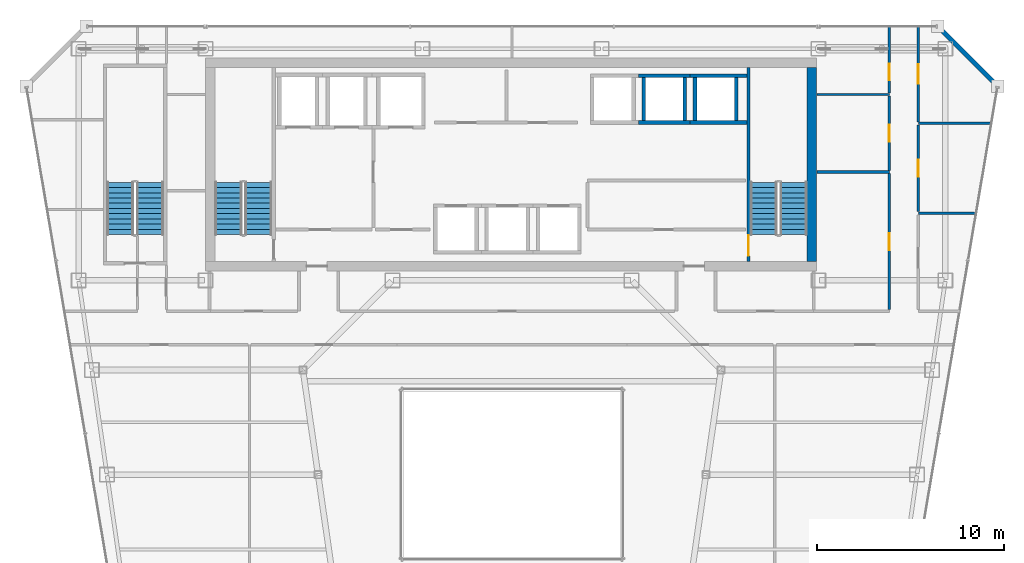
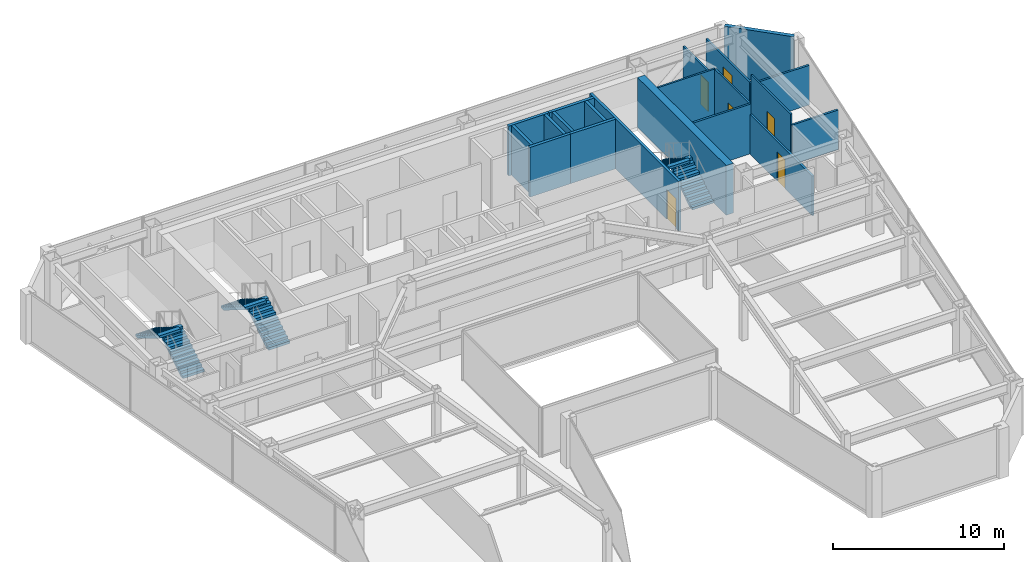
# One storey, part 32 of 35: 20 walls, 6 doors, 6 stair flights, 6 openings, 3 elements without a shape of their own.
"""IFC4 building model written with IfcOpenShell, lengths in metres."""

from ifc_helpers import new_model, si_unit, direction, frame, frame_2d, origin, place, context, subcontext, project, spatial, polyline, rectangle, outline, extrude, material, layer, layer_set, type_object, element, fill, aggregate, save


model = new_model("IFC4")

# Units and contexts
model_context = context("Model", 3, precision=1e-05, world=origin(), true_north=direction((0.0, 1.0)))
body_context = subcontext(model_context, "Body", "Model", "MODEL_VIEW")
ifc_project = project(units=[si_unit("LENGTHUNIT", "METRE"), si_unit("AREAUNIT", "SQUARE_METRE"), si_unit("VOLUMEUNIT", "CUBIC_METRE"), si_unit("PLANEANGLEUNIT", "RADIAN"), si_unit("MASSUNIT", "GRAM", prefix="KILO")], contexts=[model_context])

# Site, building, storey
site_placement = place(None, origin())
site = spatial("IfcSite", under=ifc_project, at=site_placement, CompositionType="ELEMENT")
building_placement = place(site_placement, origin())
building = spatial("IfcBuilding", under=site, at=building_placement, Name="Saevonmaru Cultural Tower", CompositionType="ELEMENT")
storey_placement = place(building_placement, frame((0.0, 0.0, 213.199951171875)))
storey = spatial("IfcBuildingStorey", under=building, at=storey_placement, Name="L49", CompositionType="ELEMENT", Elevation=213.199951171875)

# Walls
ifc_material_1 = material(Name="Concrete C60/75", Category="concrete")
ifc_layer_1 = layer(ifc_material_1, 0.5, Name="Concrete C60/75")
ifc_layer_set_1 = layer_set([ifc_layer_1], Name="Concrete C60/75")
wall_type_1 = type_object("IfcWallType", Name="WL-CORE-500", PredefinedType="SHEAR", material=ifc_layer_set_1)
wall_1_placement = place(storey_placement, frame((46.050048828125, 43.39990234375, 0.0), z_axis=(0.0, 0.0, 1.0), x_axis=(0.0, 1.0, 0.0)))
element("IfcWall", 1, at=wall_1_placement, inside=storey, type_object=wall_type_1, Name="L49 Tower RC core shear wall E", PredefinedType="SHEAR", context=body_context, shape_type="SweptSolid", body=[
    extrude(rectangle(XDim=10.400146484375, YDim=0.5, at=frame_2d((5.2001953125, 0.0))), origin(), (0.0, 0.0, 1.0), 3.550048828125),
])
ifc_material_2 = material(Name="Granite-Clad Precast Concrete C40/50", Category="masonry")
ifc_layer_2 = layer(ifc_material_2, 0.260009765625, Name="Granite-Clad Precast Concrete C40/50")
ifc_layer_set_2 = layer_set([ifc_layer_2], Name="Granite-Clad Precast Concrete C40/50")
wall_type_2 = type_object("IfcWallType", Name="WL-EXT-SPANDREL-260", PredefinedType="STANDARD", material=ifc_layer_set_2)
wall_2_placement = place(storey_placement, frame((55.886962890625, 52.9130859375, 0.0), z_axis=(0.0, 0.0, 1.0), x_axis=(-0.707106781187, 0.707106781187, 0.0)))
element("IfcWall", 2, at=wall_2_placement, inside=storey, type_object=wall_type_2, Name="L49 Chamfer Corner Spandrel Wall E9", PredefinedType="STANDARD", context=body_context, shape_type="SweptSolid", body=[
    extrude(rectangle(XDim=4.205810546875, YDim=0.260009765625, at=frame_2d((2.10302734375, 0.0))), origin(), (0.0, 0.0, 1.0), 3.550048828125),
])
ifc_material_3 = material(Name="Gypsum Fireboard Partition", Category="gypsum")
ifc_layer_3 = layer(ifc_material_3, 0.1201171875, Name="Gypsum Fireboard Partition")
ifc_layer_set_3 = layer_set([ifc_layer_3], Name="Gypsum Fireboard Partition")
wall_type_3 = type_object("IfcWallType", Name="WL-PART-GYP-120", PredefinedType="PARTITIONING", material=ifc_layer_set_3)
wall_3_placement = place(storey_placement, frame((46.320068359375, 52.35009765625, 0.0), z_axis=(0.0, 0.0, 1.0), x_axis=(1.0, 0.0, 0.0)))
element("IfcWall", 3, at=wall_3_placement, inside=storey, type_object=wall_type_3, Name="L49 North-East Panorama South Wall", PredefinedType="PARTITIONING", context=body_context, shape_type="SweptSolid", body=[
    extrude(rectangle(XDim=3.8798828125, YDim=0.1201171875, at=frame_2d((1.93994140625, 0.0))), origin(), (0.0, 0.0, 1.0), 3.550048828125),
])

# Wall, opening, door
wall_4_placement = place(storey_placement, frame((50.199951171875, 48.2900390625, 0.0), z_axis=(0.0, 0.0, 1.0), x_axis=(0.0, 1.0, 0.0)))
wall_4 = element("IfcWall", 4, at=wall_4_placement, inside=storey, type_object=wall_type_3, Name="L49 Design Seminar Classroom Corridor Wall", PredefinedType="PARTITIONING", context=body_context, shape_type="SweptSolid", body=[
    extrude(rectangle(XDim=3.97998046875, YDim=0.1201171875, at=frame_2d((1.989990234375, 0.0))), origin(), (0.0, 0.0, 1.0), 3.550048828125),
])
opening_1_placement = place(wall_4_placement, frame((1.5400390625, 0.0, 0.0)))
opening_1 = element("IfcOpeningElement", 5, at=opening_1_placement, cuts=wall_4, Name="Opening ID-2", PredefinedType="OPENING", context=body_context, shape_type="SweptSolid", body=[
    extrude(rectangle(XDim=0.89990234375, YDim=2.10009765625, at=frame_2d((0.449951171875, 1.050048828125))), frame((0.0, 0.070068359375, 0.0), z_axis=(0.0, -1.0, 0.0), x_axis=(1.0, 0.0, 0.0)), (0.0, 0.0, 1.0), 0.14013671875),
])
ifc_material_4 = material(Name="Acoustic Stained Oak Timber", Category="wood")
door_type_1 = type_object("IfcDoorType", Name="DR-INT-900", OperationType="SINGLE_SWING_RIGHT", PredefinedType="DOOR", material=ifc_material_4)
door_1_placement = place(opening_1_placement, origin())
door_1 = element("IfcDoor", 6, at=door_1_placement, inside=storey, type_object=door_type_1, Name="L49 Design Seminar Classroom Door", OperationType="SINGLE_SWING_LEFT", OverallHeight=2.10009765625, OverallWidth=0.89990234375, PredefinedType="DOOR", context=body_context, shape_type="SweptSolid", body=[
    extrude(rectangle(XDim=0.89990234375, YDim=2.10009765625, at=frame_2d((0.449951171875, 1.050048828125))), frame((0.0, 0.02490234375, 0.0), z_axis=(0.0, -1.0, 0.0), x_axis=(1.0, 0.0, 0.0)), (0.0, 0.0, 1.0), 0.050048828125),
])
fill(opening_1, door_1)

wall_5_placement = place(storey_placement, frame((50.199951171875, 52.429931640625, 0.0), z_axis=(0.0, 0.0, 1.0), x_axis=(0.0, 1.0, 0.0)))
wall_5 = element("IfcWall", 7, at=wall_5_placement, inside=storey, type_object=wall_type_3, Name="L49 Printmaking Workshop Classroom Corridor Wall", PredefinedType="PARTITIONING", context=body_context, shape_type="SweptSolid", body=[
    extrude(rectangle(XDim=3.565185546875, YDim=0.1201171875, at=frame_2d((1.78271484375, 0.0))), origin(), (0.0, 0.0, 1.0), 2.93505859375),
])
opening_2_placement = place(wall_5_placement, frame((0.672119140625, 0.0, 0.0)))
opening_2 = element("IfcOpeningElement", 8, at=opening_2_placement, cuts=wall_5, Name="Opening ID-2", PredefinedType="OPENING", context=body_context, shape_type="SweptSolid", body=[
    extrude(rectangle(XDim=0.89990234375, YDim=2.10009765625, at=frame_2d((0.449951171875, 1.050048828125))), frame((0.0, 0.070068359375, 0.0), z_axis=(0.0, -1.0, 0.0), x_axis=(1.0, 0.0, 0.0)), (0.0, 0.0, 1.0), 0.14013671875),
])
door_2_placement = place(opening_2_placement, origin())
door_2 = element("IfcDoor", 9, at=door_2_placement, inside=storey, type_object=door_type_1, Name="L49 Printmaking Workshop Classroom Door", OperationType="SINGLE_SWING_RIGHT", OverallHeight=2.10009765625, OverallWidth=0.89990234375, PredefinedType="DOOR", context=body_context, shape_type="SweptSolid", body=[
    extrude(rectangle(XDim=0.89990234375, YDim=2.10009765625, at=frame_2d((0.449951171875, 1.050048828125))), frame((0.0, 0.02490234375, 0.0), z_axis=(0.0, -1.0, 0.0), x_axis=(1.0, 0.0, 0.0)), (0.0, 0.0, 1.0), 0.050048828125),
])
fill(opening_2, door_2)

wall_6_placement = place(storey_placement, frame((51.75, 46.08740234375, 0.0), z_axis=(0.0, 0.0, 1.0), x_axis=(0.0, 1.0, 0.0)))
wall_6 = element("IfcWall", 10, at=wall_6_placement, inside=storey, type_object=wall_type_3, Name="L49 Civic Policy Meeting Room Corridor Wall", PredefinedType="PARTITIONING", context=body_context, shape_type="SweptSolid", body=[
    extrude(rectangle(XDim=4.625, YDim=0.1201171875, at=frame_2d((2.3125, 0.0))), origin(), (0.0, 0.0, 1.0), 3.550048828125),
])
opening_3_placement = place(wall_6_placement, frame((1.863037109375, 0.0, 0.0)))
opening_3 = element("IfcOpeningElement", 11, at=opening_3_placement, cuts=wall_6, Name="Opening ID-2", PredefinedType="OPENING", context=body_context, shape_type="SweptSolid", body=[
    extrude(rectangle(XDim=0.89990234375, YDim=2.10009765625, at=frame_2d((0.449951171875, 1.050048828125))), frame((0.0, 0.070068359375, 0.0), z_axis=(0.0, -1.0, 0.0), x_axis=(1.0, 0.0, 0.0)), (0.0, 0.0, 1.0), 0.14013671875),
])
door_3_placement = place(opening_3_placement, origin())
door_3 = element("IfcDoor", 12, at=door_3_placement, inside=storey, type_object=door_type_1, Name="L49 Civic Policy Meeting Room Door", OperationType="SINGLE_SWING_RIGHT", OverallHeight=2.10009765625, OverallWidth=0.89990234375, PredefinedType="DOOR", context=body_context, shape_type="SweptSolid", body=[
    extrude(rectangle(XDim=0.89990234375, YDim=2.10009765625, at=frame_2d((0.449951171875, 1.050048828125))), frame((0.0, 0.02490234375, 0.0), z_axis=(0.0, -1.0, 0.0), x_axis=(1.0, 0.0, 0.0)), (0.0, 0.0, 1.0), 0.050048828125),
])
fill(opening_3, door_3)

wall_7_placement = place(storey_placement, frame((51.75, 50.887451171875, 0.0), z_axis=(0.0, 0.0, 1.0), x_axis=(0.0, 1.0, 0.0)))
wall_7 = element("IfcWall", 13, at=wall_7_placement, inside=storey, type_object=wall_type_3, Name="L49 Panorama Reading Room Corridor Wall", PredefinedType="PARTITIONING", context=body_context, shape_type="SweptSolid", body=[
    extrude(rectangle(XDim=5.107666015625, YDim=0.1201171875, at=frame_2d((2.5537109375, 0.0))), origin(), (0.0, 0.0, 1.0), 2.93505859375),
])
opening_4_placement = place(wall_7_placement, frame((2.029052734375, 0.0, 0.0)))
opening_4 = element("IfcOpeningElement", 14, at=opening_4_placement, cuts=wall_7, Name="Opening ID-1", PredefinedType="OPENING", context=body_context, shape_type="SweptSolid", body=[
    extrude(rectangle(XDim=1.050048828125, YDim=2.14990234375, at=frame_2d((0.52490234375, 1.074951171875))), frame((0.0, 0.070068359375, 0.0), z_axis=(0.0, -1.0, 0.0), x_axis=(1.0, 0.0, 0.0)), (0.0, 0.0, 1.0), 0.14013671875),
])
ifc_material_5 = material(Name="Satin Bronze Anodised Aluminium", Category="aluminium")
door_type_2 = type_object("IfcDoorType", Name="DR-INT-1050", OperationType="SINGLE_SWING_LEFT", PredefinedType="DOOR", material=ifc_material_5)
door_4_placement = place(opening_4_placement, origin())
door_4 = element("IfcDoor", 15, at=door_4_placement, inside=storey, type_object=door_type_2, Name="L49 Panorama Reading Room Door", OperationType="SINGLE_SWING_LEFT", OverallHeight=2.14990234375, OverallWidth=1.050048828125, PredefinedType="DOOR", context=body_context, shape_type="SweptSolid", body=[
    extrude(rectangle(XDim=1.050048828125, YDim=2.14990234375, at=frame_2d((0.52490234375, 1.074951171875))), frame((0.0, 0.02490234375, 0.0), z_axis=(0.0, -1.0, 0.0), x_axis=(1.0, 0.0, 0.0)), (0.0, 0.0, 1.0), 0.050048828125),
])
fill(opening_4, door_4)

# Walls
ifc_layer_4 = layer(ifc_material_3, 0.135009765625, Name="Gypsum Fireboard Partition")
ifc_layer_set_4 = layer_set([ifc_layer_4], Name="Gypsum Fireboard Partition")
wall_type_4 = type_object("IfcWallType", Name="WL-PART-GYP-135", PredefinedType="PARTITIONING", material=ifc_layer_set_4)
wall_8_placement = place(storey_placement, frame((51.75, 46.0, 0.0), z_axis=(0.0, 0.0, 1.0), x_axis=(1.0, 0.0, 0.0)))
element("IfcWall", 16, at=wall_8_placement, inside=storey, type_object=wall_type_4, Name="L49 NE Studio Divider 1", PredefinedType="PARTITIONING", context=body_context, shape_type="SweptSolid", body=[
    extrude(rectangle(XDim=3.09375, YDim=0.135009765625, at=frame_2d((1.546875, 0.0))), origin(), (0.0, 0.0, 1.0), 2.8349609375),
])
wall_9_placement = place(storey_placement, frame((51.75, 50.800048828125, 0.0), z_axis=(0.0, 0.0, 1.0), x_axis=(1.0, 0.0, 0.0)))
element("IfcWall", 17, at=wall_9_placement, inside=storey, type_object=wall_type_4, Name="L49 NE Studio Divider 2", PredefinedType="PARTITIONING", context=body_context, shape_type="SweptSolid", body=[
    extrude(rectangle(XDim=3.90625, YDim=0.135009765625, at=frame_2d((1.953125, 0.0))), origin(), (0.0, 0.0, 1.0), 2.8349609375),
])
ifc_layer_5 = layer(ifc_material_3, 0.139892578125, Name="Gypsum Fireboard Partition")
ifc_layer_set_5 = layer_set([ifc_layer_5], Name="Gypsum Fireboard Partition")
wall_type_5 = type_object("IfcWallType", Name="WL-PART-WET-140", PredefinedType="PARTITIONING", material=ifc_layer_set_5)
wall_10_placement = place(storey_placement, frame((46.320068359375, 48.199951171875, 0.0), z_axis=(0.0, 0.0, 1.0), x_axis=(1.0, 0.0, 0.0)))
element("IfcWall", 18, at=wall_10_placement, inside=storey, type_object=wall_type_5, Name="L49 Washroom North Wall", PredefinedType="PARTITIONING", context=body_context, shape_type="SweptSolid", body=[
    extrude(rectangle(XDim=3.8798828125, YDim=0.139892578125, at=frame_2d((1.93994140625, 0.0))), origin(), (0.0, 0.0, 1.0), 3.550048828125),
])

# Wall, opening, door
wall_11_placement = place(storey_placement, frame((50.199951171875, 40.840087890625, 0.0), z_axis=(0.0, 0.0, 1.0), x_axis=(0.0, 1.0, 0.0)))
wall_11 = element("IfcWall", 19, at=wall_11_placement, inside=storey, type_object=wall_type_5, Name="L49 Washroom Corridor Wall", PredefinedType="PARTITIONING", context=body_context, shape_type="SweptSolid", body=[
    extrude(rectangle(XDim=7.27001953125, YDim=0.139892578125, at=frame_2d((3.635009765625, 0.0))), origin(), (0.0, 0.0, 1.0), 2.8349609375),
])
opening_5_placement = place(wall_11_placement, frame((3.18505859375, 0.0, 0.0)))
opening_5 = element("IfcOpeningElement", 20, at=opening_5_placement, cuts=wall_11, Name="Opening ID-2", PredefinedType="OPENING", context=body_context, shape_type="SweptSolid", body=[
    extrude(rectangle(XDim=0.89990234375, YDim=2.10009765625, at=frame_2d((0.449951171875, 1.050048828125))), frame((0.0, 0.080078125, 0.0), z_axis=(0.0, -1.0, 0.0), x_axis=(1.0, 0.0, 0.0)), (0.0, 0.0, 1.0), 0.159912109375),
])
door_5_placement = place(opening_5_placement, origin())
door_5 = element("IfcDoor", 21, at=door_5_placement, inside=storey, type_object=door_type_1, Name="L49 Public Accessible Washrooms Door", OperationType="SINGLE_SWING_RIGHT", OverallHeight=2.10009765625, OverallWidth=0.89990234375, PredefinedType="DOOR", context=body_context, shape_type="SweptSolid", body=[
    extrude(rectangle(XDim=0.89990234375, YDim=2.10009765625, at=frame_2d((0.449951171875, 1.050048828125))), frame((0.0, 0.02490234375, 0.0), z_axis=(0.0, -1.0, 0.0), x_axis=(1.0, 0.0, 0.0)), (0.0, 0.0, 1.0), 0.050048828125),
])
fill(opening_5, door_5)

# Walls
ifc_material_6 = material(Name="Concrete C40/50", Category="concrete")
ifc_layer_6 = layer(ifc_material_6, 0.199951171875, Name="Concrete C40/50")
ifc_layer_set_6 = layer_set([ifc_layer_6], Name="Concrete C40/50")
wall_type_6 = type_object("IfcWallType", Name="WL-SHAFT-200", PredefinedType="SHEAR", material=ifc_layer_set_6)
for number, where, z_axis, x_axis, name in (
    (22, (36.77490234375, 50.85009765625, 0.0), (0.0, 0.0, 1.0), (1.0, 0.0, 0.0), "L49 Lift PL-H2 Hoistway Wall S"),
    (23, (36.77490234375, 53.35009765625, 0.0), (0.0, 0.0, 1.0), (1.0, 0.0, 0.0), "L49 Lift PL-H2 Hoistway Wall N"),
):
    element("IfcWall", number, at=place(storey_placement, frame(where, z_axis=z_axis, x_axis=x_axis)), inside=storey, type_object=wall_type_6, Name=name, PredefinedType="SHEAR", context=body_context, shape_type="SweptSolid", body=[
        extrude(rectangle(XDim=2.75, YDim=0.199951171875, at=frame_2d((1.375, 0.0))), origin(), (0.0, 0.0, 1.0), 3.550048828125),
    ])
for number, where, z_axis, x_axis, name in (
    (24, (37.050048828125, 50.949951171875, 0.0), (0.0, 0.0, 1.0), (0.0, 1.0, 0.0), "L49 Lift PL-H2 Hoistway Wall W"),
    (25, (39.25, 50.949951171875, 0.0), (0.0, 0.0, 1.0), (0.0, 1.0, 0.0), "L49 Lift PL-H2 Hoistway Wall E"),
):
    element("IfcWall", number, at=place(storey_placement, frame(where, z_axis=z_axis, x_axis=x_axis)), inside=storey, type_object=wall_type_6, Name=name, PredefinedType="SHEAR", context=body_context, shape_type="SweptSolid", body=[
        extrude(rectangle(XDim=2.300048828125, YDim=0.199951171875, at=frame_2d((1.14990234375, 0.0))), origin(), (0.0, 0.0, 1.0), 3.550048828125),
    ])
for number, where, z_axis, x_axis, name in (
    (26, (39.52490234375, 50.85009765625, 0.0), (0.0, 0.0, 1.0), (1.0, 0.0, 0.0), "L49 Lift PL-H3 Hoistway Wall S"),
    (27, (39.52490234375, 53.35009765625, 0.0), (0.0, 0.0, 1.0), (1.0, 0.0, 0.0), "L49 Lift PL-H3 Hoistway Wall N"),
):
    element("IfcWall", number, at=place(storey_placement, frame(where, z_axis=z_axis, x_axis=x_axis)), inside=storey, type_object=wall_type_6, Name=name, PredefinedType="SHEAR", context=body_context, shape_type="SweptSolid", body=[
        extrude(rectangle(XDim=3.045166015625, YDim=0.199951171875, at=frame_2d((1.5224609375, 0.0))), origin(), (0.0, 0.0, 1.0), 3.550048828125),
    ])
for number, where, z_axis, x_axis, name in (
    (28, (39.800048828125, 50.949951171875, 0.0), (0.0, 0.0, 1.0), (0.0, 1.0, 0.0), "L49 Lift PL-H3 Hoistway Wall W"),
    (29, (42.0, 50.949951171875, 0.0), (0.0, 0.0, 1.0), (0.0, 1.0, 0.0), "L49 Lift PL-H3 Hoistway Wall E"),
):
    element("IfcWall", number, at=place(storey_placement, frame(where, z_axis=z_axis, x_axis=x_axis)), inside=storey, type_object=wall_type_6, Name=name, PredefinedType="SHEAR", context=body_context, shape_type="SweptSolid", body=[
        extrude(rectangle(XDim=2.300048828125, YDim=0.199951171875, at=frame_2d((1.14990234375, 0.0))), origin(), (0.0, 0.0, 1.0), 3.550048828125),
    ])

# Wall, opening, door
ifc_layer_7 = layer(ifc_material_6, 0.179931640625, Name="Concrete C40/50")
ifc_layer_set_7 = layer_set([ifc_layer_7], Name="Concrete C40/50")
wall_type_7 = type_object("IfcWallType", Name="WL-STSHAFT-180", PredefinedType="SHEAR", material=ifc_layer_set_7)
wall_12_placement = place(storey_placement, frame((42.659912109375, 53.800048828125, 0.0), z_axis=(0.0, 0.0, 1.0), x_axis=(0.0, -1.0, 0.0)))
wall_12 = element("IfcWall", 30, at=wall_12_placement, inside=storey, type_object=wall_type_7, Name="L49 Stair ST-2 Structural Shaft Wall 1", PredefinedType="SHEAR", context=body_context, shape_type="SweptSolid", body=[
    extrude(rectangle(XDim=10.400146484375, YDim=0.179931640625, at=frame_2d((5.2001953125, 0.0))), origin(), (0.0, 0.0, 1.0), 3.550048828125),
])
opening_6_placement = place(wall_12_placement, frame((8.989990234375, 0.0, 0.0)))
opening_6 = element("IfcOpeningElement", 31, at=opening_6_placement, cuts=wall_12, Name="Opening FD-2", PredefinedType="OPENING", context=body_context, shape_type="SweptSolid", body=[
    extrude(rectangle(XDim=1.10009765625, YDim=2.14990234375, at=frame_2d((0.550048828125, 1.074951171875))), frame((0.0, 0.10009765625, 0.0), z_axis=(0.0, -1.0, 0.0), x_axis=(1.0, 0.0, 0.0)), (0.0, 0.0, 1.0), 0.199951171875),
])
door_type_3 = type_object("IfcDoorType", Name="DR-FD60-1100", OperationType="SINGLE_SWING_LEFT", PredefinedType="DOOR", material=ifc_material_5)
door_6_placement = place(opening_6_placement, origin())
door_6 = element("IfcDoor", 32, at=door_6_placement, inside=storey, type_object=door_type_3, Name="L49 Protected Stair ST-2 Fire Door", OperationType="SINGLE_SWING_LEFT", OverallHeight=2.14990234375, OverallWidth=1.10009765625, PredefinedType="DOOR", context=body_context, shape_type="SweptSolid", body=[
    extrude(rectangle(XDim=1.10009765625, YDim=2.14990234375, at=frame_2d((0.550048828125, 1.074951171875))), frame((0.0, 0.02490234375, 0.0), z_axis=(0.0, -1.0, 0.0), x_axis=(1.0, 0.0, 0.0)), (0.0, 0.0, 1.0), 0.050048828125),
])
fill(opening_6, door_6)

# Stair, stair flights
stair_type = type_object("IfcStairType", Name="STR-DOGLEG-RC", PredefinedType="HALF_TURN_STAIR", material=ifc_material_6)
stair_1_placement = place(storey_placement, origin())
stair_1 = element("IfcStair", 33, at=stair_1_placement, inside=storey, type_object=stair_type, Name="L49 Protected exit stair ST-1", PredefinedType="HALF_TURN_STAIR")
ifc_material_7 = material(Name="Precast concrete C40/50", Category="concrete")
stair_flight_type = type_object("IfcStairFlightType", Name="STF-PRECAST-180", PredefinedType="STRAIGHT", material=ifc_material_7)
stair_flight_1_placement = place(storey_placement, frame((16.425048828125, 44.85009765625, 0.0), z_axis=(0.0, 0.0, 1.0), x_axis=(0.0, 1.0, 0.0)))
stair_flight_1 = element("IfcStairFlight", 34, at=stair_flight_1_placement, type_object=stair_flight_type, Name="ST-1-L49 flight 1", NumberOfRisers=11, NumberOfTreads=10, PredefinedType="STRAIGHT", RiserHeight=0.172727273, TreadLength=0.28, context=body_context, shape_type="SweptSolid", body=[
    extrude(outline(polyline([(0.0, 0.0), (0.0, 0.172607421875), (0.280029296875, 0.172607421875), (0.280029296875, 0.345458984375), (0.56005859375, 0.345458984375), (0.56005859375, 0.51806640625), (0.840087890625, 0.51806640625), (0.840087890625, 0.69091796875), (1.1201171875, 0.69091796875), (1.1201171875, 0.863525390625), (1.39990234375, 0.863525390625), (1.39990234375, 1.036376953125), (1.679931640625, 1.036376953125), (1.679931640625, 1.208984375), (1.9599609375, 1.208984375), (1.9599609375, 1.3818359375), (2.239990234375, 1.3818359375), (2.239990234375, 1.554443359375), (2.52001953125, 1.554443359375), (2.52001953125, 1.727294921875), (2.800048828125, 1.727294921875), (2.800048828125, 1.89990234375), (2.800048828125, 1.551025390625), (0.285400390625, 0.0), (0.0, 0.0)])), frame((0.0, 0.72509765625, 0.0), z_axis=(0.0, -1.0, 0.0), x_axis=(1.0, 0.0, 0.0)), (0.0, 0.0, 1.0), 1.449951171875),
])
stair_flight_2_placement = place(storey_placement, frame((14.824951171875, 47.64990234375, 1.900146484375), z_axis=(0.0, 0.0, 1.0), x_axis=(0.0, -1.0, 0.0)))
stair_flight_2 = element("IfcStairFlight", 35, at=stair_flight_2_placement, type_object=stair_flight_type, Name="ST-1-L49 flight 2", NumberOfRisers=11, NumberOfTreads=10, PredefinedType="STRAIGHT", RiserHeight=0.172727273, TreadLength=0.28, context=body_context, shape_type="SweptSolid", body=[
    extrude(outline(polyline([(0.0, 0.0), (0.0, 0.172607421875), (0.280029296875, 0.172607421875), (0.280029296875, 0.345458984375), (0.56005859375, 0.345458984375), (0.56005859375, 0.51806640625), (0.840087890625, 0.51806640625), (0.840087890625, 0.69091796875), (1.1201171875, 0.69091796875), (1.1201171875, 0.863525390625), (1.39990234375, 0.863525390625), (1.39990234375, 1.036376953125), (1.679931640625, 1.036376953125), (1.679931640625, 1.208984375), (1.9599609375, 1.208984375), (1.9599609375, 1.3818359375), (2.239990234375, 1.3818359375), (2.239990234375, 1.554443359375), (2.52001953125, 1.554443359375), (2.52001953125, 1.727294921875), (2.800048828125, 1.727294921875), (2.800048828125, 1.89990234375), (2.800048828125, 1.551025390625), (0.285400390625, 0.0), (0.0, 0.0)])), frame((0.0, 0.72509765625, 0.0), z_axis=(0.0, -1.0, 0.0), x_axis=(1.0, 0.0, 0.0)), (0.0, 0.0, 1.0), 1.449951171875),
])
aggregate(stair_1, [stair_flight_1, stair_flight_2])

stair_2_placement = place(storey_placement, origin())
stair_2 = element("IfcStair", 36, at=stair_2_placement, inside=storey, type_object=stair_type, Name="L49 Protected exit stair ST-2", PredefinedType="HALF_TURN_STAIR")
stair_flight_3_placement = place(storey_placement, frame((45.074951171875, 44.85009765625, 0.0), z_axis=(0.0, 0.0, 1.0), x_axis=(0.0, 1.0, 0.0)))
stair_flight_3 = element("IfcStairFlight", 37, at=stair_flight_3_placement, type_object=stair_flight_type, Name="ST-2-L49 flight 1", NumberOfRisers=11, NumberOfTreads=10, PredefinedType="STRAIGHT", RiserHeight=0.172727273, TreadLength=0.28, context=body_context, shape_type="SweptSolid", body=[
    extrude(outline(polyline([(0.0, 0.0), (0.0, 0.172607421875), (0.280029296875, 0.172607421875), (0.280029296875, 0.345458984375), (0.56005859375, 0.345458984375), (0.56005859375, 0.51806640625), (0.840087890625, 0.51806640625), (0.840087890625, 0.69091796875), (1.1201171875, 0.69091796875), (1.1201171875, 0.863525390625), (1.39990234375, 0.863525390625), (1.39990234375, 1.036376953125), (1.679931640625, 1.036376953125), (1.679931640625, 1.208984375), (1.9599609375, 1.208984375), (1.9599609375, 1.3818359375), (2.239990234375, 1.3818359375), (2.239990234375, 1.554443359375), (2.52001953125, 1.554443359375), (2.52001953125, 1.727294921875), (2.800048828125, 1.727294921875), (2.800048828125, 1.89990234375), (2.800048828125, 1.551025390625), (0.285400390625, 0.0), (0.0, 0.0)])), frame((0.0, 0.72509765625, 0.0), z_axis=(0.0, -1.0, 0.0), x_axis=(1.0, 0.0, 0.0)), (0.0, 0.0, 1.0), 1.449951171875),
])
stair_flight_4_placement = place(storey_placement, frame((43.47509765625, 47.64990234375, 1.900146484375), z_axis=(0.0, 0.0, 1.0), x_axis=(0.0, -1.0, 0.0)))
stair_flight_4 = element("IfcStairFlight", 38, at=stair_flight_4_placement, type_object=stair_flight_type, Name="ST-2-L49 flight 2", NumberOfRisers=11, NumberOfTreads=10, PredefinedType="STRAIGHT", RiserHeight=0.172727273, TreadLength=0.28, context=body_context, shape_type="SweptSolid", body=[
    extrude(outline(polyline([(0.0, 0.0), (0.0, 0.172607421875), (0.280029296875, 0.172607421875), (0.280029296875, 0.345458984375), (0.56005859375, 0.345458984375), (0.56005859375, 0.51806640625), (0.840087890625, 0.51806640625), (0.840087890625, 0.69091796875), (1.1201171875, 0.69091796875), (1.1201171875, 0.863525390625), (1.39990234375, 0.863525390625), (1.39990234375, 1.036376953125), (1.679931640625, 1.036376953125), (1.679931640625, 1.208984375), (1.9599609375, 1.208984375), (1.9599609375, 1.3818359375), (2.239990234375, 1.3818359375), (2.239990234375, 1.554443359375), (2.52001953125, 1.554443359375), (2.52001953125, 1.727294921875), (2.800048828125, 1.727294921875), (2.800048828125, 1.89990234375), (2.800048828125, 1.551025390625), (0.285400390625, 0.0), (0.0, 0.0)])), frame((0.0, 0.72509765625, 0.0), z_axis=(0.0, -1.0, 0.0), x_axis=(1.0, 0.0, 0.0)), (0.0, 0.0, 1.0), 1.449951171875),
])
aggregate(stair_2, [stair_flight_3, stair_flight_4])

stair_3_placement = place(storey_placement, origin())
stair_3 = element("IfcStair", 39, at=stair_3_placement, inside=storey, type_object=stair_type, Name="L49 Protected exit stair ST-3", PredefinedType="HALF_TURN_STAIR")
stair_flight_5_placement = place(storey_placement, frame((10.625, 44.85009765625, 0.0), z_axis=(0.0, 0.0, 1.0), x_axis=(0.0, 1.0, 0.0)))
stair_flight_5 = element("IfcStairFlight", 40, at=stair_flight_5_placement, type_object=stair_flight_type, Name="ST-3-L49 flight 1", NumberOfRisers=11, NumberOfTreads=10, PredefinedType="STRAIGHT", RiserHeight=0.172727273, TreadLength=0.28, context=body_context, shape_type="SweptSolid", body=[
    extrude(outline(polyline([(0.0, 0.0), (0.0, 0.172607421875), (0.280029296875, 0.172607421875), (0.280029296875, 0.345458984375), (0.56005859375, 0.345458984375), (0.56005859375, 0.51806640625), (0.840087890625, 0.51806640625), (0.840087890625, 0.69091796875), (1.1201171875, 0.69091796875), (1.1201171875, 0.863525390625), (1.39990234375, 0.863525390625), (1.39990234375, 1.036376953125), (1.679931640625, 1.036376953125), (1.679931640625, 1.208984375), (1.9599609375, 1.208984375), (1.9599609375, 1.3818359375), (2.239990234375, 1.3818359375), (2.239990234375, 1.554443359375), (2.52001953125, 1.554443359375), (2.52001953125, 1.727294921875), (2.800048828125, 1.727294921875), (2.800048828125, 1.89990234375), (2.800048828125, 1.551025390625), (0.285400390625, 0.0), (0.0, 0.0)])), frame((0.0, 0.72509765625, 0.0), z_axis=(0.0, -1.0, 0.0), x_axis=(1.0, 0.0, 0.0)), (0.0, 0.0, 1.0), 1.449951171875),
])
stair_flight_6_placement = place(storey_placement, frame((9.02490234375, 47.64990234375, 1.900146484375), z_axis=(0.0, 0.0, 1.0), x_axis=(0.0, -1.0, 0.0)))
stair_flight_6 = element("IfcStairFlight", 41, at=stair_flight_6_placement, type_object=stair_flight_type, Name="ST-3-L49 flight 2", NumberOfRisers=11, NumberOfTreads=10, PredefinedType="STRAIGHT", RiserHeight=0.172727273, TreadLength=0.28, context=body_context, shape_type="SweptSolid", body=[
    extrude(outline(polyline([(0.0, 0.0), (0.0, 0.172607421875), (0.280029296875, 0.172607421875), (0.280029296875, 0.345458984375), (0.56005859375, 0.345458984375), (0.56005859375, 0.51806640625), (0.840087890625, 0.51806640625), (0.840087890625, 0.69091796875), (1.1201171875, 0.69091796875), (1.1201171875, 0.863525390625), (1.39990234375, 0.863525390625), (1.39990234375, 1.036376953125), (1.679931640625, 1.036376953125), (1.679931640625, 1.208984375), (1.9599609375, 1.208984375), (1.9599609375, 1.3818359375), (2.239990234375, 1.3818359375), (2.239990234375, 1.554443359375), (2.52001953125, 1.554443359375), (2.52001953125, 1.727294921875), (2.800048828125, 1.727294921875), (2.800048828125, 1.89990234375), (2.800048828125, 1.551025390625), (0.285400390625, 0.0), (0.0, 0.0)])), frame((0.0, 0.72509765625, 0.0), z_axis=(0.0, -1.0, 0.0), x_axis=(1.0, 0.0, 0.0)), (0.0, 0.0, 1.0), 1.449951171875),
])
aggregate(stair_3, [stair_flight_5, stair_flight_6])

save(model, "model.ifc")
